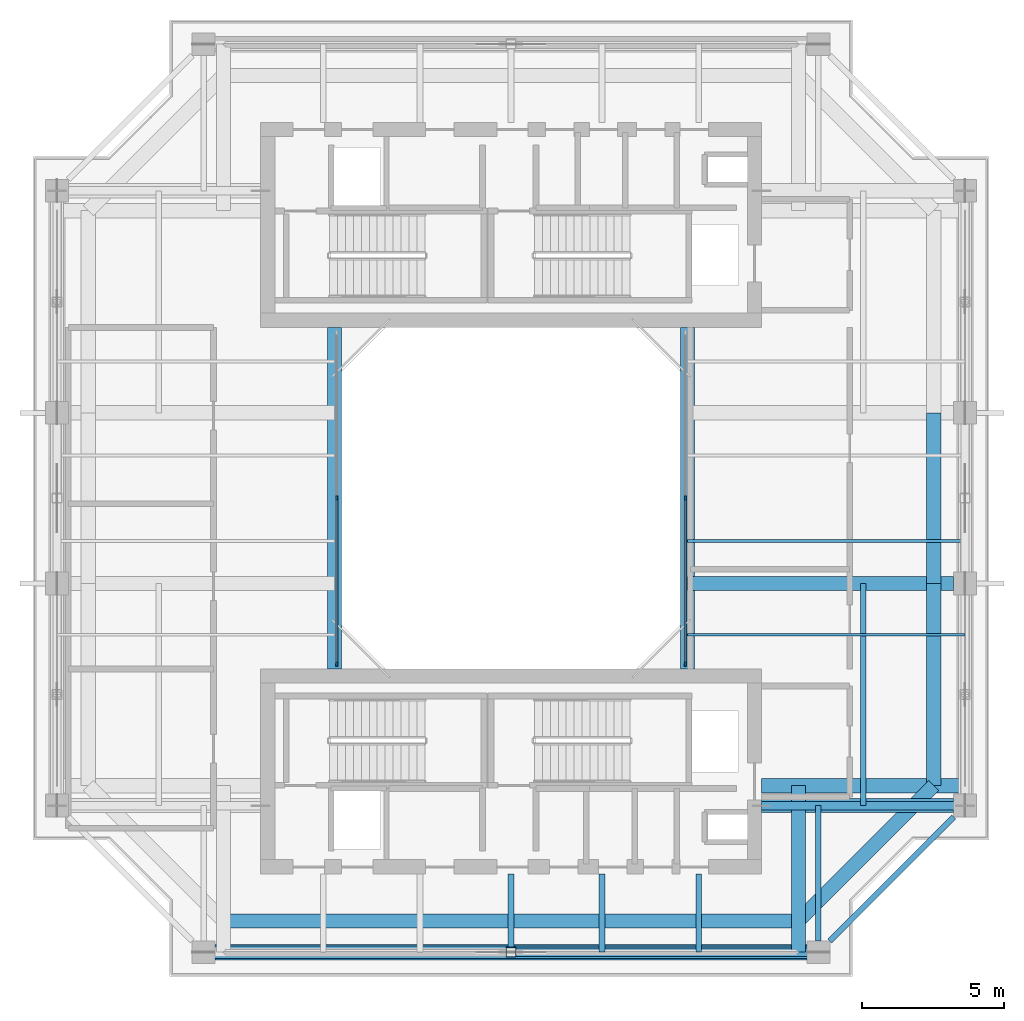
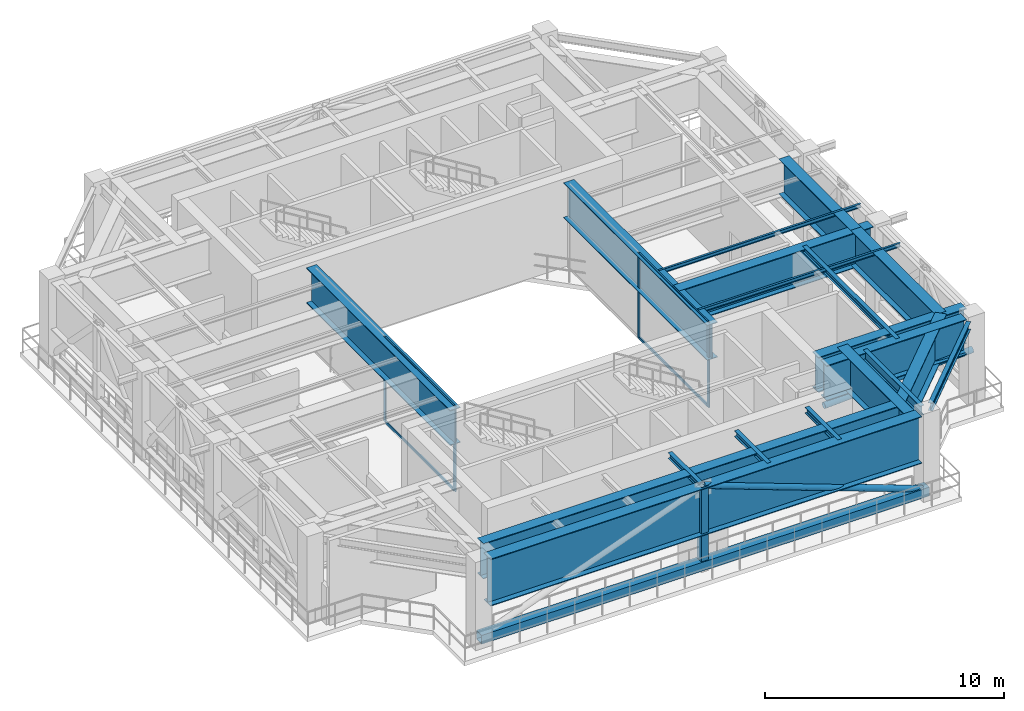
# One storey, part 2 of 10: 19 beams, 12 members, 2 elements without a shape of their own.
"""IFC4 building model written with IfcOpenShell, lengths in metres."""

from ifc_helpers import new_model, si_unit, direction, frame, origin, origin_2d, place, context, subcontext, project, spatial, rectangle, hollow_rectangle, hollow_circle, i_section, extrude, source, transform, mapped, material, layer, layer_set, material_profile, profile_set, type_object, element, aggregate, save


model = new_model("IFC4")

# Units and contexts
model_context = context("Model", 3, precision=1e-05, world=origin(), true_north=direction((0.0, 1.0)))
body_context = subcontext(model_context, "Body", "Model", "MODEL_VIEW")
ifc_project = project(units=[si_unit("LENGTHUNIT", "METRE"), si_unit("AREAUNIT", "SQUARE_METRE"), si_unit("VOLUMEUNIT", "CUBIC_METRE"), si_unit("PLANEANGLEUNIT", "RADIAN"), si_unit("MASSUNIT", "GRAM", prefix="KILO"), si_unit("THERMODYNAMICTEMPERATUREUNIT", "KELVIN"), si_unit("POWERUNIT", "WATT")], contexts=[model_context])

# Site, building, storey
site_placement = place(None, origin())
site = spatial("IfcSite", under=ifc_project, at=site_placement, CompositionType="ELEMENT")
building_placement = place(site_placement, origin())
building = spatial("IfcBuilding", under=site, at=building_placement, Name="Qiaomeng Ring Towers", CompositionType="ELEMENT")
storey_placement = place(building_placement, frame((0.0, 0.0, 232.75)))
storey = spatial("IfcBuildingStorey", under=building, at=storey_placement, Name="L68", CompositionType="ELEMENT", Elevation=232.75)

# Member
ifc_material_1 = material(Name="Steel Q390GJC", Category="steel")
ifc_material_profile_1 = material_profile(ifc_material_1, hollow_rectangle(XDim=0.35009765625, YDim=0.35009765625, WallThickness=0.02001953125, at=origin_2d()), Name="SHS 350x350x20")
ifc_profile_set_1 = profile_set([ifc_material_profile_1], Name="Steel Q390GJC")
member_type_1 = type_object("IfcMemberType", Name="STR-MB-POST-350", PredefinedType="POST", material=ifc_profile_set_1)
shared_shape_1 = source(origin(), body_context, "Body", "SweptSolid", [
    extrude(hollow_rectangle(XDim=0.35009765625, YDim=0.35009765625, WallThickness=0.02001953125, at=origin_2d()), origin(), (0.0, 0.0, 1.0), 4.0),
])
member_1_placement = place(storey_placement, frame((19.0, 7.050048828125, 0.320068359375), z_axis=(0.0, 0.0, 1.0), x_axis=(1.0, 0.0, 0.0)))
element("IfcMember", 1, at=member_1_placement, inside=storey, type_object=member_type_1, Name="L68 Belt Truss Post S1-S2", PredefinedType="POST", context=body_context, shape_type="MappedRepresentation", body=[
    mapped(shared_shape_1, transform((0.0, 0.0, 0.0), x_axis=(1.0, 0.0, 0.0), y_axis=(0.0, 1.0, 0.0), z_axis=(0.0, 0.0, 1.0), scale=1.0)),
])

# Beams
ifc_material_profile_2 = material_profile(ifc_material_1, i_section(OverallWidth=0.5, OverallDepth=1.800048828125, WebThickness=0.02392578125, FlangeThickness=0.035888671875, at=origin_2d()), Name="WH 1800x500x24x36")
ifc_profile_set_2 = profile_set([ifc_material_profile_2], Name="Steel Q390GJC")
beam_type_1 = type_object("IfcBeamType", Name="STR-TG-WH1800", PredefinedType="USERDEFINED", material=ifc_profile_set_2)
shared_shape_2 = source(origin(), body_context, "Body", "SweptSolid", [
    extrude(i_section(OverallWidth=0.5, OverallDepth=1.800048828125, WebThickness=0.02392578125, FlangeThickness=0.035888671875, at=origin_2d()), origin(), (0.0, 0.0, 1.0), 12.0),
])
for number, where, z_axis, x_axis, name in (
    (2, (12.800048828125, 17.0, 3.419921875), (0.0, 1.0, 0.0), (-1.0, 0.0, 0.0), "L68 Transfer Girder STR-TG2-L68-WELL-W"),
    (3, (25.199951171875, 17.0, 3.419921875), (0.0, 1.0, 0.0), (-1.0, 0.0, 0.0), "L68 Transfer Girder STR-TG2-L68-WELL-E"),
):
    element("IfcBeam", number, at=place(storey_placement, frame(where, z_axis=z_axis, x_axis=x_axis)), inside=storey, type_object=beam_type_1, Name=name, ObjectType="TRANSFER GIRDER", PredefinedType="USERDEFINED", context=body_context, shape_type="MappedRepresentation", body=[
        mapped(shared_shape_2, transform((0.0, 0.0, 0.0), x_axis=(1.0, 0.0, 0.0), y_axis=(0.0, 1.0, 0.0), z_axis=(0.0, 0.0, 1.0), scale=1.0)),
    ])
shared_shape_3 = source(origin(), body_context, "Body", "SweptSolid", [
    extrude(i_section(OverallWidth=0.5, OverallDepth=1.800048828125, WebThickness=0.02392578125, FlangeThickness=0.035888671875, at=origin_2d()), origin(), (0.0, 0.0, 1.0), 6.0),
])
beam_1_placement = place(storey_placement, frame((33.85009765625, 20.0, 3.419921875), z_axis=(0.0, 1.0, 0.0), x_axis=(-1.0, 0.0, 0.0)))
element("IfcBeam", 4, at=beam_1_placement, inside=storey, type_object=beam_type_1, Name="L68 Transfer Girder STR-TG3-L68-E2-E3", ObjectType="TRANSFER GIRDER", PredefinedType="USERDEFINED", context=body_context, shape_type="MappedRepresentation", body=[
    mapped(shared_shape_3, transform((0.0, 0.0, 0.0), x_axis=(1.0, 0.0, 0.0), y_axis=(0.0, 1.0, 0.0), z_axis=(0.0, 0.0, 1.0), scale=1.0)),
])
ifc_material_2 = material(Name="Steel Q355B", Category="steel")
ifc_material_profile_3 = material_profile(ifc_material_2, i_section(OverallWidth=0.198974609375, OverallDepth=0.39599609375, WebThickness=0.007080078125, FlangeThickness=0.010986328125, FilletRadius=0.01611328125, at=origin_2d()), Name="HN 396x199x7x11")
ifc_profile_set_3 = profile_set([ifc_material_profile_3], Name="Steel Q355B")
beam_type_2 = type_object("IfcBeamType", Name="STR-BM-HN396", PredefinedType="SPANDREL", material=ifc_profile_set_3)
shared_shape_4 = source(origin(), body_context, "Body", "SweptSolid", [
    extrude(i_section(OverallWidth=0.198974609375, OverallDepth=0.39599609375, WebThickness=0.007080078125, FlangeThickness=0.010986328125, FilletRadius=0.01611328125, at=origin_2d()), origin(), (0.0, 0.0, 1.0), 6.154052734375),
])
beam_2_placement = place(storey_placement, frame((30.19921875, 7.44921875, 4.1220703125), z_axis=(0.707106781187, 0.707106781187, 0.0), x_axis=(-0.707106781187, 0.707106781187, 0.0)))
element("IfcBeam", 5, at=beam_2_placement, inside=storey, type_object=beam_type_2, Name="L68 beam STR-SP-L68-T1-S2-E1", PredefinedType="SPANDREL", context=body_context, shape_type="MappedRepresentation", body=[
    mapped(shared_shape_4, transform((0.0, 0.0, 0.0), x_axis=(1.0, 0.0, 0.0), y_axis=(0.0, 1.0, 0.0), z_axis=(0.0, 0.0, 1.0), scale=1.0)),
])
ifc_material_profile_4 = material_profile(ifc_material_2, i_section(OverallWidth=0.199951171875, OverallDepth=0.2939453125, WebThickness=0.008056640625, FlangeThickness=0.011962890625, FilletRadius=0.01806640625, at=origin_2d()), Name="HM 294x200x8x12")
ifc_profile_set_4 = profile_set([ifc_material_profile_4], Name="Steel Q355B")
beam_type_3 = type_object("IfcBeamType", Name="STR-BM-HM294", PredefinedType="JOIST", material=ifc_profile_set_4)
shared_shape_5 = source(origin(), body_context, "Body", "SweptSolid", [
    extrude(i_section(OverallWidth=0.199951171875, OverallDepth=0.2939453125, WebThickness=0.008056640625, FlangeThickness=0.011962890625, FilletRadius=0.01806640625, at=origin_2d()), origin(), (0.0, 0.0, 1.0), 2.75),
])
for number, where, z_axis, x_axis, name in (
    (6, (19.0, 7.050048828125, 4.173095703125), (0.0, 1.0, 0.0), (-1.0, 0.0, 0.0), "L68 beam STR-JST-L68-T1S-3"),
    (7, (22.199951171875, 7.050048828125, 4.173095703125), (0.0, 1.0, 0.0), (-1.0, 0.0, 0.0), "L68 beam STR-JST-L68-T1S-4"),
    (8, (25.60009765625, 7.050048828125, 4.173095703125), (0.0, 1.0, 0.0), (-1.0, 0.0, 0.0), "L68 beam STR-JST-L68-T1S-5"),
):
    element("IfcBeam", number, at=place(storey_placement, frame(where, z_axis=z_axis, x_axis=x_axis)), inside=storey, type_object=beam_type_3, Name=name, PredefinedType="JOIST", context=body_context, shape_type="MappedRepresentation", body=[
        mapped(shared_shape_5, transform((0.0, 0.0, 0.0), x_axis=(1.0, 0.0, 0.0), y_axis=(0.0, 1.0, 0.0), z_axis=(0.0, 0.0, 1.0), scale=1.0)),
    ])
ifc_material_profile_5 = material_profile(ifc_material_2, i_section(OverallWidth=0.10009765625, OverallDepth=0.199951171875, WebThickness=0.005615234375, FlangeThickness=0.008056640625, FilletRadius=0.010986328125, at=origin_2d()), Name="HN 200x100x5.5x8")
ifc_profile_set_5 = profile_set([ifc_material_profile_5], Name="Steel Q355B")
beam_type_4 = type_object("IfcBeamType", Name="STR-BM-HN200", PredefinedType="JOIST", material=ifc_profile_set_5)
shared_shape_6 = source(origin(), body_context, "Body", "SweptSolid", [
    extrude(i_section(OverallWidth=0.10009765625, OverallDepth=0.199951171875, WebThickness=0.005615234375, FlangeThickness=0.008056640625, FilletRadius=0.010986328125, at=origin_2d()), origin(), (0.0, 0.0, 1.0), 9.75),
])
for number, where, z_axis, x_axis, name in (
    (9, (25.199951171875, 18.199951171875, 4.219970703125), (1.0, 0.0, 0.0), (0.0, 1.0, 0.0), "L68 beam STR-JST-L68-T1E-1"),
    (10, (25.199951171875, 21.5, 4.219970703125), (1.0, 0.0, 0.0), (0.0, 1.0, 0.0), "L68 beam STR-JST-L68-T1E-2"),
):
    element("IfcBeam", number, at=place(storey_placement, frame(where, z_axis=z_axis, x_axis=x_axis)), inside=storey, type_object=beam_type_4, Name=name, PredefinedType="JOIST", context=body_context, shape_type="MappedRepresentation", body=[
        mapped(shared_shape_6, transform((0.0, 0.0, 0.0), x_axis=(1.0, 0.0, 0.0), y_axis=(0.0, 1.0, 0.0), z_axis=(0.0, 0.0, 1.0), scale=1.0)),
    ])
shared_shape_7 = source(origin(), body_context, "Body", "SweptSolid", [
    extrude(i_section(OverallWidth=0.199951171875, OverallDepth=0.2939453125, WebThickness=0.008056640625, FlangeThickness=0.011962890625, FilletRadius=0.01806640625, at=origin_2d()), origin(), (0.0, 0.0, 1.0), 7.800048828125),
])
beam_3_placement = place(storey_placement, frame((31.375, 12.199951171875, 4.173095703125), z_axis=(0.0, 1.0, 0.0), x_axis=(-1.0, 0.0, 0.0)))
element("IfcBeam", 11, at=beam_3_placement, inside=storey, type_object=beam_type_3, Name="L68 beam STR-JST-L68-T1C-ES", PredefinedType="JOIST", context=body_context, shape_type="MappedRepresentation", body=[
    mapped(shared_shape_7, transform((0.0, 0.0, 0.0), x_axis=(1.0, 0.0, 0.0), y_axis=(0.0, 1.0, 0.0), z_axis=(0.0, 0.0, 1.0), scale=1.0)),
])
ifc_material_profile_6 = material_profile(ifc_material_2, i_section(OverallWidth=0.198974609375, OverallDepth=0.49609375, WebThickness=0.009033203125, FlangeThickness=0.013916015625, FilletRadius=0.01806640625, at=origin_2d()), Name="HN 496x199x9x14")
ifc_profile_set_6 = profile_set([ifc_material_profile_6], Name="Steel Q355B")
beam_type_5 = type_object("IfcBeamType", Name="STR-BM-HN496", PredefinedType="BEAM", material=ifc_profile_set_6)
shared_shape_8 = source(origin(), body_context, "Body", "SweptSolid", [
    extrude(i_section(OverallWidth=0.198974609375, OverallDepth=0.49609375, WebThickness=0.009033203125, FlangeThickness=0.013916015625, FilletRadius=0.01806640625, at=origin_2d()), origin(), (0.0, 0.0, 1.0), 4.7509765625),
])
beam_4_placement = place(storey_placement, frame((29.800048828125, 7.448974609375, 4.072021484375), z_axis=(0.0, 1.0, 0.0), x_axis=(-1.0, 0.0, 0.0)))
element("IfcBeam", 12, at=beam_4_placement, inside=storey, type_object=beam_type_5, Name="L68 beam STR-BM-L68-T1-RAD-S2", PredefinedType="BEAM", context=body_context, shape_type="MappedRepresentation", body=[
    mapped(shared_shape_8, transform((0.0, 0.0, 0.0), x_axis=(1.0, 0.0, 0.0), y_axis=(0.0, 1.0, 0.0), z_axis=(0.0, 0.0, 1.0), scale=1.0)),
])
ifc_material_profile_7 = material_profile(ifc_material_1, i_section(OverallWidth=0.550048828125, OverallDepth=2.39990234375, WebThickness=0.02587890625, FlangeThickness=0.035888671875, at=origin_2d()), Name="WH 2400x550x26x36")
ifc_profile_set_7 = profile_set([ifc_material_profile_7], Name="Steel Q390GJC")
beam_type_6 = type_object("IfcBeamType", Name="STR-TG-WH2400", PredefinedType="USERDEFINED", material=ifc_profile_set_7)
shared_shape_9 = source(origin(), body_context, "Body", "SweptSolid", [
    extrude(i_section(OverallWidth=0.550048828125, OverallDepth=2.39990234375, WebThickness=0.02587890625, FlangeThickness=0.035888671875, at=origin_2d()), origin(), (0.0, 0.0, 1.0), 20.8017578125),
])
beam_5_placement = place(storey_placement, frame((8.59912109375, 7.050048828125, 3.1201171875), z_axis=(1.0, 0.0, 0.0), x_axis=(0.0, 1.0, 0.0)))
element("IfcBeam", 13, at=beam_5_placement, inside=storey, type_object=beam_type_6, Name="L68 Transfer Girder STR-TG2-L68-OUT-S", ObjectType="TRANSFER GIRDER", PredefinedType="USERDEFINED", context=body_context, shape_type="MappedRepresentation", body=[
    mapped(shared_shape_9, transform((0.0, 0.0, 0.0), x_axis=(1.0, 0.0, 0.0), y_axis=(0.0, 1.0, 0.0), z_axis=(0.0, 0.0, 1.0), scale=1.0)),
])
shared_shape_10 = source(origin(), body_context, "Body", "SweptSolid", [
    extrude(i_section(OverallWidth=0.5, OverallDepth=1.800048828125, WebThickness=0.02392578125, FlangeThickness=0.035888671875, at=origin_2d()), origin(), (0.0, 0.0, 1.0), 6.7509765625),
])
beam_6_placement = place(storey_placement, frame((27.800048828125, 12.199951171875, 3.419921875), z_axis=(1.0, 0.0, 0.0), x_axis=(0.0, 1.0, 0.0)))
element("IfcBeam", 14, at=beam_6_placement, inside=storey, type_object=beam_type_1, Name="L68 Transfer Girder STR-TG2-L68-E1-CUR", ObjectType="TRANSFER GIRDER", PredefinedType="USERDEFINED", context=body_context, shape_type="MappedRepresentation", body=[
    mapped(shared_shape_10, transform((0.0, 0.0, 0.0), x_axis=(1.0, 0.0, 0.0), y_axis=(0.0, 1.0, 0.0), z_axis=(0.0, 0.0, 1.0), scale=1.0)),
])
shared_shape_11 = source(origin(), body_context, "Body", "SweptSolid", [
    extrude(i_section(OverallWidth=0.5, OverallDepth=1.800048828125, WebThickness=0.02392578125, FlangeThickness=0.035888671875, at=origin_2d()), origin(), (0.0, 0.0, 1.0), 7.14990234375),
])
beam_7_placement = place(storey_placement, frame((27.800048828125, 12.89990234375, 3.419921875), z_axis=(1.0, 0.0, 0.0), x_axis=(0.0, 1.0, 0.0)))
element("IfcBeam", 15, at=beam_7_placement, inside=storey, type_object=beam_type_1, Name="L68 Transfer Girder STR-TG2-L68-E1-NXT", ObjectType="TRANSFER GIRDER", PredefinedType="USERDEFINED", context=body_context, shape_type="MappedRepresentation", body=[
    mapped(shared_shape_11, transform((0.0, 0.0, 0.0), x_axis=(1.0, 0.0, 0.0), y_axis=(0.0, 1.0, 0.0), z_axis=(0.0, 0.0, 1.0), scale=1.0)),
])
shared_shape_12 = source(origin(), body_context, "Body", "SweptSolid", [
    extrude(i_section(OverallWidth=0.5, OverallDepth=1.800048828125, WebThickness=0.02392578125, FlangeThickness=0.035888671875, at=origin_2d()), origin(), (0.0, 0.0, 1.0), 9.35107421875),
])
beam_8_placement = place(storey_placement, frame((25.199951171875, 20.0, 3.419921875), z_axis=(1.0, 0.0, 0.0), x_axis=(0.0, 1.0, 0.0)))
element("IfcBeam", 16, at=beam_8_placement, inside=storey, type_object=beam_type_1, Name="L68 Transfer Girder STR-TG2-L68-E2", ObjectType="TRANSFER GIRDER", PredefinedType="USERDEFINED", context=body_context, shape_type="MappedRepresentation", body=[
    mapped(shared_shape_12, transform((0.0, 0.0, 0.0), x_axis=(1.0, 0.0, 0.0), y_axis=(0.0, 1.0, 0.0), z_axis=(0.0, 0.0, 1.0), scale=1.0)),
])
shared_shape_13 = source(origin(), body_context, "Body", "SweptSolid", [
    extrude(i_section(OverallWidth=0.5, OverallDepth=1.800048828125, WebThickness=0.02392578125, FlangeThickness=0.035888671875, at=origin_2d()), origin(), (0.0, 0.0, 1.0), 5.849853515625),
])
beam_9_placement = place(storey_placement, frame((29.10009765625, 7.050048828125, 3.419921875), z_axis=(0.0, 1.0, 0.0), x_axis=(-1.0, 0.0, 0.0)))
element("IfcBeam", 17, at=beam_9_placement, inside=storey, type_object=beam_type_1, Name="L68 Transfer Girder STR-TG2-L68-S2", ObjectType="TRANSFER GIRDER", PredefinedType="USERDEFINED", context=body_context, shape_type="MappedRepresentation", body=[
    mapped(shared_shape_13, transform((0.0, 0.0, 0.0), x_axis=(1.0, 0.0, 0.0), y_axis=(0.0, 1.0, 0.0), z_axis=(0.0, 0.0, 1.0), scale=1.0)),
])
shared_shape_14 = source(origin(), body_context, "Body", "SweptSolid", [
    extrude(i_section(OverallWidth=0.5, OverallDepth=1.800048828125, WebThickness=0.02392578125, FlangeThickness=0.035888671875, at=origin_2d()), origin(), (0.0, 0.0, 1.0), 20.2001953125),
])
beam_10_placement = place(storey_placement, frame((8.89990234375, 8.14990234375, 3.419921875), z_axis=(1.0, 0.0, 0.0), x_axis=(0.0, 1.0, 0.0)))
element("IfcBeam", 18, at=beam_10_placement, inside=storey, type_object=beam_type_1, Name="L68 Transfer Girder STR-TG3-L68-S1-S2", ObjectType="TRANSFER GIRDER", PredefinedType="USERDEFINED", context=body_context, shape_type="MappedRepresentation", body=[
    mapped(shared_shape_14, transform((0.0, 0.0, 0.0), x_axis=(1.0, 0.0, 0.0), y_axis=(0.0, 1.0, 0.0), z_axis=(0.0, 0.0, 1.0), scale=1.0)),
])
shared_shape_15 = source(origin(), body_context, "Body", "SweptSolid", [
    extrude(i_section(OverallWidth=0.5, OverallDepth=1.800048828125, WebThickness=0.02392578125, FlangeThickness=0.035888671875, at=origin_2d()), origin(), (0.0, 0.0, 1.0), 6.717529296875),
])
beam_11_placement = place(storey_placement, frame((29.10009765625, 8.14990234375, 3.419921875), z_axis=(0.707106781187, 0.707106781187, 0.0), x_axis=(-0.707106781187, 0.707106781187, 0.0)))
element("IfcBeam", 19, at=beam_11_placement, inside=storey, type_object=beam_type_1, Name="L68 Transfer Girder STR-TG3-L68-S2-E1", ObjectType="TRANSFER GIRDER", PredefinedType="USERDEFINED", context=body_context, shape_type="MappedRepresentation", body=[
    mapped(shared_shape_15, transform((0.0, 0.0, 0.0), x_axis=(1.0, 0.0, 0.0), y_axis=(0.0, 1.0, 0.0), z_axis=(0.0, 0.0, 1.0), scale=1.0)),
])
shared_shape_16 = source(origin(), body_context, "Body", "SweptSolid", [
    extrude(i_section(OverallWidth=0.5, OverallDepth=1.800048828125, WebThickness=0.02392578125, FlangeThickness=0.035888671875, at=origin_2d()), origin(), (0.0, 0.0, 1.0), 7.10009765625),
])
beam_12_placement = place(storey_placement, frame((33.85009765625, 12.89990234375, 3.419921875), z_axis=(0.0, 1.0, 0.0), x_axis=(-1.0, 0.0, 0.0)))
element("IfcBeam", 20, at=beam_12_placement, inside=storey, type_object=beam_type_1, Name="L68 Transfer Girder STR-TG3-L68-E1-E2", ObjectType="TRANSFER GIRDER", PredefinedType="USERDEFINED", context=body_context, shape_type="MappedRepresentation", body=[
    mapped(shared_shape_16, transform((0.0, 0.0, 0.0), x_axis=(1.0, 0.0, 0.0), y_axis=(0.0, 1.0, 0.0), z_axis=(0.0, 0.0, 1.0), scale=1.0)),
])

# Members
ifc_material_profile_8 = material_profile(ifc_material_1, hollow_rectangle(XDim=0.449951171875, YDim=0.449951171875, WallThickness=0.028076171875, at=origin_2d()), Name="SHS 450x450x28")
ifc_profile_set_8 = profile_set([ifc_material_profile_8], Name="Steel Q390GJC")
member_type_2 = type_object("IfcMemberType", Name="STR-MB-CHORD-450", PredefinedType="CHORD", material=ifc_profile_set_8)
shared_shape_17 = source(origin(), body_context, "Body", "SweptSolid", [
    extrude(hollow_rectangle(XDim=0.449951171875, YDim=0.449951171875, WallThickness=0.028076171875, at=origin_2d()), origin(), (0.0, 0.0, 1.0), 21.60009765625),
])
member_2_placement = place(storey_placement, frame((8.199951171875, 7.050048828125, 0.320068359375), z_axis=(1.0, 0.0, 0.0), x_axis=(0.0, 1.0, 0.0)))
element("IfcMember", 21, at=member_2_placement, inside=storey, type_object=member_type_2, Name="L68 Belt Truss Bottom Chord S1-S2", PredefinedType="CHORD", context=body_context, shape_type="MappedRepresentation", body=[
    mapped(shared_shape_17, transform((0.0, 0.0, 0.0), x_axis=(1.0, 0.0, 0.0), y_axis=(0.0, 1.0, 0.0), z_axis=(0.0, 0.0, 1.0), scale=1.0)),
])
ifc_material_profile_9 = material_profile(ifc_material_1, hollow_circle(Radius=0.1494140625, WallThickness=0.01611328125, at=origin_2d()), Name="CHS 299x16")
ifc_profile_set_9 = profile_set([ifc_material_profile_9], Name="Steel Q390GJC")
member_type_3 = type_object("IfcMemberType", Name="STR-MB-BR-299", PredefinedType="BRACE", material=ifc_profile_set_9)
shared_shape_18 = source(origin(), body_context, "Body", "SweptSolid", [
    extrude(hollow_circle(Radius=0.1494140625, WallThickness=0.01611328125, at=origin_2d()), origin(), (0.0, 0.0, 1.0), 11.510009765625),
])
member_3_placement = place(storey_placement, frame((29.800048828125, 7.050048828125, 0.320068359375), z_axis=(-0.938314504514, 0.0, 0.345783010887), x_axis=(0.0, -1.0, 0.0)))
element("IfcMember", 22, at=member_3_placement, inside=storey, type_object=member_type_3, Name="L68 Belt Truss Diagonal S2-M", PredefinedType="BRACE", context=body_context, shape_type="MappedRepresentation", body=[
    mapped(shared_shape_18, transform((0.0, 0.0, 0.0), x_axis=(1.0, 0.0, 0.0), y_axis=(0.0, 1.0, 0.0), z_axis=(0.0, 0.0, 1.0), scale=1.0)),
])
shared_shape_19 = source(origin(), body_context, "Body", "SweptSolid", [
    extrude(hollow_circle(Radius=0.1494140625, WallThickness=0.01611328125, at=origin_2d()), origin(), (0.0, 0.0, 1.0), 7.158447265625),
])
member_4_placement = place(storey_placement, frame((27.800048828125, 12.199951171875, 2.14990234375), z_axis=(0.998803347378, 0.0, 0.048906781402), x_axis=(0.0, 1.0, 0.0)))
element("IfcMember", 23, at=member_4_placement, inside=storey, type_object=member_type_3, Name="L68 Core Outrigger Truss Diagonal E1", PredefinedType="BRACE", context=body_context, shape_type="MappedRepresentation", body=[
    mapped(shared_shape_19, transform((0.0, 0.0, 0.0), x_axis=(1.0, 0.0, 0.0), y_axis=(0.0, 1.0, 0.0), z_axis=(0.0, 0.0, 1.0), scale=1.0)),
])

# Curtain wall, members
ifc_material_3 = material(Name="Fluorocarbon dark-grey aluminium", Category="aluminium")
ifc_layer = layer(ifc_material_3, 0.139892578125, Name="Fluorocarbon dark-grey aluminium")
ifc_layer_set = layer_set([ifc_layer], Name="Fluorocarbon dark-grey aluminium")
curtain_wall_type = type_object("IfcCurtainWallType", Name="ARC-CW-4", PredefinedType="NOTDEFINED", material=ifc_layer_set)
curtain_wall_1_placement = place(storey_placement, origin())
curtain_wall_1 = element("IfcCurtainWall", 24, at=curtain_wall_1_placement, inside=storey, type_object=curtain_wall_type, Name="L68 Curtain Wall CW4", PredefinedType="NOTDEFINED")
ifc_material_profile_10 = material_profile(ifc_material_3, rectangle(XDim=0.06494140625, YDim=0.1298828125, at=origin_2d()), Name="ALU TRAN 65x130")
ifc_profile_set_10 = profile_set([ifc_material_profile_10], Name="Fluorocarbon dark-grey aluminium")
member_type_4 = type_object("IfcMemberType", Name="ARC-CWT-120", PredefinedType="USERDEFINED", material=ifc_profile_set_10)
shared_shape_20 = source(origin(), body_context, "Body", "SweptSolid", [
    extrude(rectangle(XDim=0.06494140625, YDim=0.1298828125, at=origin_2d()), origin(), (0.0, 0.0, 1.0), 5.75244140625),
])
member_5_placement = place(storey_placement, frame((12.8798828125, 17.215087890625, 0.032470703125), z_axis=(0.0, 1.0, 0.0), x_axis=(-1.0, 0.0, 0.0)))
member_5 = element("IfcMember", 25, at=member_5_placement, type_object=member_type_4, Name="CW4 transom 1.1", ObjectType="TRANSOM", PredefinedType="USERDEFINED", context=body_context, shape_type="MappedRepresentation", body=[
    mapped(shared_shape_20, transform((0.0, 0.0, 0.0), x_axis=(1.0, 0.0, 0.0), y_axis=(0.0, 1.0, 0.0), z_axis=(0.0, 0.0, 1.0), scale=1.0)),
])
member_6_placement = place(storey_placement, frame((12.8798828125, 17.215087890625, 4.28759765625), z_axis=(0.0, 1.0, 0.0), x_axis=(-1.0, 0.0, 0.0)))
member_6 = element("IfcMember", 26, at=member_6_placement, type_object=member_type_4, Name="CW4 transom 1.2", ObjectType="TRANSOM", PredefinedType="USERDEFINED", context=body_context, shape_type="MappedRepresentation", body=[
    mapped(shared_shape_20, transform((0.0, 0.0, 0.0), x_axis=(1.0, 0.0, 0.0), y_axis=(0.0, 1.0, 0.0), z_axis=(0.0, 0.0, 1.0), scale=1.0)),
])

curtain_wall_2_placement = place(storey_placement, origin())
curtain_wall_2 = element("IfcCurtainWall", 27, at=curtain_wall_2_placement, inside=storey, type_object=curtain_wall_type, Name="L68 Curtain Wall CW4", PredefinedType="NOTDEFINED")
member_7_placement = place(storey_placement, frame((25.1201171875, 17.215087890625, 0.032470703125), z_axis=(0.0, 1.0, 0.0), x_axis=(-1.0, 0.0, 0.0)))
member_7 = element("IfcMember", 28, at=member_7_placement, type_object=member_type_4, Name="CW4 transom 1.1", ObjectType="TRANSOM", PredefinedType="USERDEFINED", context=body_context, shape_type="MappedRepresentation", body=[
    mapped(shared_shape_20, transform((0.0, 0.0, 0.0), x_axis=(1.0, 0.0, 0.0), y_axis=(0.0, 1.0, 0.0), z_axis=(0.0, 0.0, 1.0), scale=1.0)),
])
member_8_placement = place(storey_placement, frame((25.1201171875, 17.215087890625, 4.28759765625), z_axis=(0.0, 1.0, 0.0), x_axis=(-1.0, 0.0, 0.0)))
member_8 = element("IfcMember", 29, at=member_8_placement, type_object=member_type_4, Name="CW4 transom 1.2", ObjectType="TRANSOM", PredefinedType="USERDEFINED", context=body_context, shape_type="MappedRepresentation", body=[
    mapped(shared_shape_20, transform((0.0, 0.0, 0.0), x_axis=(1.0, 0.0, 0.0), y_axis=(0.0, 1.0, 0.0), z_axis=(0.0, 0.0, 1.0), scale=1.0)),
])

# Member
ifc_material_profile_11 = material_profile(ifc_material_3, rectangle(XDim=0.06494140625, YDim=0.159912109375, at=origin_2d()), Name="ALU MULL 65x160")
ifc_profile_set_11 = profile_set([ifc_material_profile_11], Name="Fluorocarbon dark-grey aluminium")
member_type_5 = type_object("IfcMemberType", Name="ARC-CWM-140", PredefinedType="MULLION", material=ifc_profile_set_11)
shared_shape_21 = source(origin(), body_context, "Body", "SweptSolid", [
    extrude(rectangle(XDim=0.06494140625, YDim=0.159912109375, at=origin_2d()), origin(), (0.0, 0.0, 1.0), 4.320068359375),
])
member_9_placement = place(storey_placement, frame((12.8798828125, 17.1826171875, 0.0), z_axis=(0.0, 0.0, 1.0), x_axis=(-1.0, 0.0, 0.0)))
member_9 = element("IfcMember", 30, at=member_9_placement, type_object=member_type_5, Name="CW4 mullion 1", PredefinedType="MULLION", context=body_context, shape_type="MappedRepresentation", body=[
    mapped(shared_shape_21, transform((0.0, 0.0, 0.0), x_axis=(1.0, 0.0, 0.0), y_axis=(0.0, 1.0, 0.0), z_axis=(0.0, 0.0, 1.0), scale=1.0)),
])

member_10_placement = place(storey_placement, frame((12.8798828125, 23.0, 0.0), z_axis=(0.0, 0.0, 1.0), x_axis=(-1.0, 0.0, 0.0)))
member_10 = element("IfcMember", 31, at=member_10_placement, type_object=member_type_5, Name="CW4 mullion 2", PredefinedType="MULLION", context=body_context, shape_type="MappedRepresentation", body=[
    mapped(shared_shape_21, transform((0.0, 0.0, 0.0), x_axis=(1.0, 0.0, 0.0), y_axis=(0.0, 1.0, 0.0), z_axis=(0.0, 0.0, 1.0), scale=1.0)),
])

aggregate(curtain_wall_1, [member_9, member_10, member_5, member_6])

member_11_placement = place(storey_placement, frame((25.1201171875, 17.1826171875, 0.0), z_axis=(0.0, 0.0, 1.0), x_axis=(-1.0, 0.0, 0.0)))
member_11 = element("IfcMember", 32, at=member_11_placement, type_object=member_type_5, Name="CW4 mullion 1", PredefinedType="MULLION", context=body_context, shape_type="MappedRepresentation", body=[
    mapped(shared_shape_21, transform((0.0, 0.0, 0.0), x_axis=(1.0, 0.0, 0.0), y_axis=(0.0, 1.0, 0.0), z_axis=(0.0, 0.0, 1.0), scale=1.0)),
])

member_12_placement = place(storey_placement, frame((25.1201171875, 23.0, 0.0), z_axis=(0.0, 0.0, 1.0), x_axis=(-1.0, 0.0, 0.0)))
member_12 = element("IfcMember", 33, at=member_12_placement, type_object=member_type_5, Name="CW4 mullion 2", PredefinedType="MULLION", context=body_context, shape_type="MappedRepresentation", body=[
    mapped(shared_shape_21, transform((0.0, 0.0, 0.0), x_axis=(1.0, 0.0, 0.0), y_axis=(0.0, 1.0, 0.0), z_axis=(0.0, 0.0, 1.0), scale=1.0)),
])

aggregate(curtain_wall_2, [member_11, member_12, member_7, member_8])

save(model, "model.ifc")
